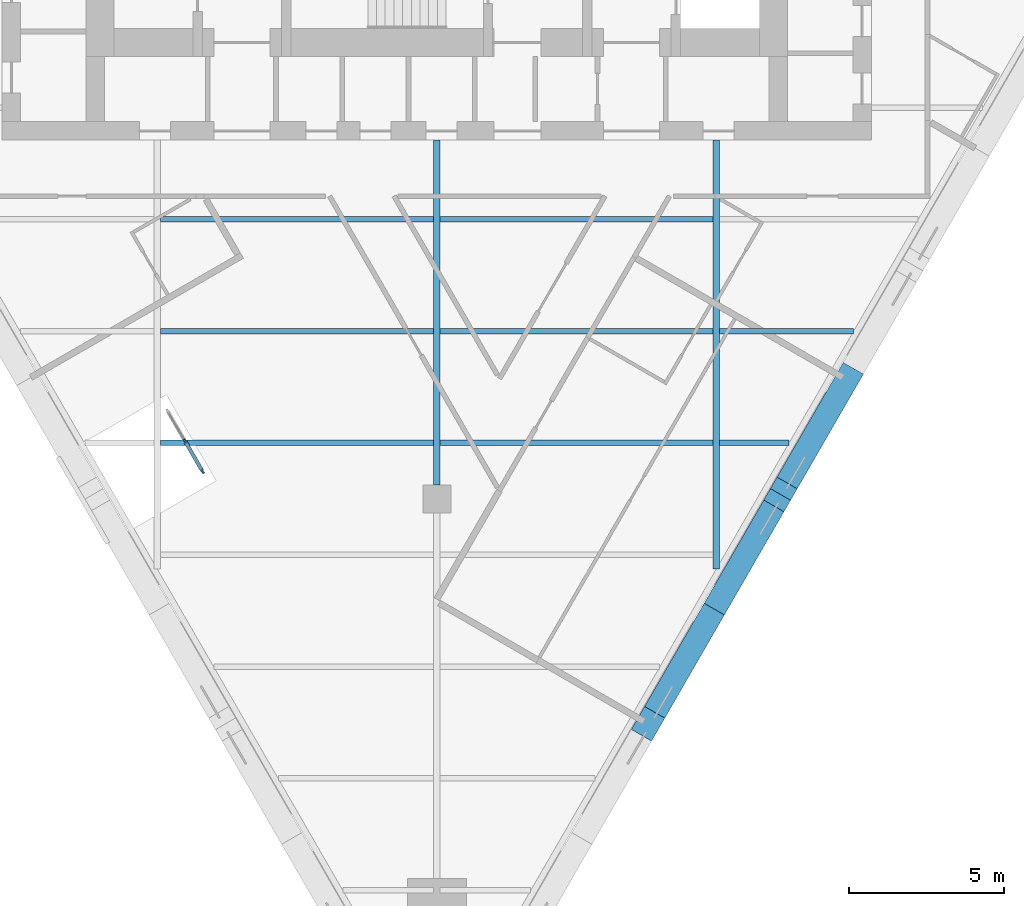
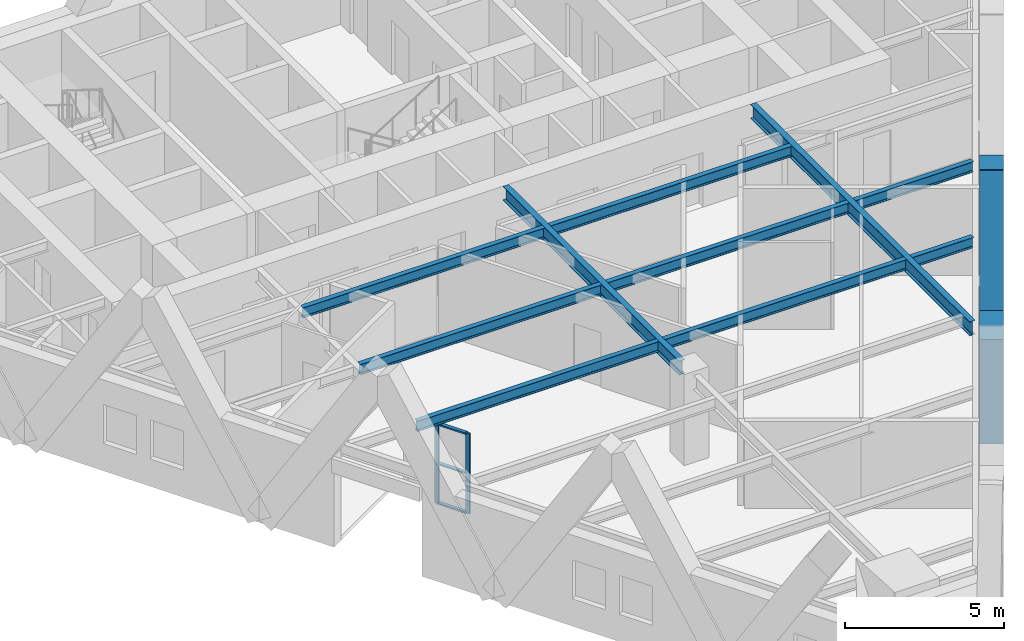
# One storey, part 4 of 12: 10 beams, 8 members, 1 element without a shape of its own.
"""IFC4 building model written with IfcOpenShell, lengths in metres."""

import ifcopenshell
import ifcopenshell.guid

model = None  # the IFC model being written
_history = None  # IfcOwnerHistory: only IFC2X3 demands one
_inside = {}  # id of a spatial element -> (the spatial element, [elements in it])
_under = {}  # id of a project, library or spatial element -> (it, [spatial elements below it])
_declared = {}  # id of a project -> (the project, [libraries it declares])
_typed = {}  # id of a type object -> (the type object, [elements of that type])
_made_of = {}  # id of a material, layer set ... -> (it, [elements and type objects made of it])


def new_model(schema):
    """Start an empty IFC model of exactly this schema.

    Asked for "IFC4X3", IfcOpenShell would pick the latest addendum, in which some entities
    have other attributes; the version numbers below select the first issue.
    IFC2X3 requires an IfcOwnerHistory on every rooted entity: one is made here for all.
    """
    global model, _history
    if schema == "IFC4X3":
        model = ifcopenshell.file(schema_version=(4, 3, 0, 0))
    else:
        model = ifcopenshell.file(schema=schema)
    _inside.clear()
    _under.clear()
    _declared.clear()
    _typed.clear()
    _made_of.clear()
    _history = None
    if model.schema == "IFC2X3":
        org = make("IfcOrganization", Name="unknown")
        user = make(
            "IfcPersonAndOrganization",
            ThePerson=make("IfcPerson", FamilyName="unknown"),
            TheOrganization=org,
        )
        app = make(
            "IfcApplication",
            ApplicationDeveloper=org,
            Version="unknown",
            ApplicationFullName="unknown",
            ApplicationIdentifier="unknown",
        )
        _history = make(
            "IfcOwnerHistory",
            OwningUser=user,
            OwningApplication=app,
            ChangeAction="ADDED",
            CreationDate=0,
        )
    return model


def make(cls, **values):
    """One entity of the class cls with the attributes given. An attribute that is None is left unset."""
    return model.create_entity(
        cls, **{name: value for name, value in values.items() if value is not None}
    )


def rooted(cls, **values):
    """An entity with a GlobalId (a new one), such as an element, a storey or a relation."""
    return make(cls, GlobalId=ifcopenshell.guid.new(), OwnerHistory=_history, **values)


def si_unit(unit_type, name, prefix=None):
    """IfcSIUnit, for example si_unit("LENGTHUNIT", "METRE", prefix="MILLI")."""
    return make("IfcSIUnit", UnitType=unit_type, Prefix=prefix, Name=name)


def assignment(units):
    """IfcUnitAssignment: the units of a project."""
    return None if units is None else make("IfcUnitAssignment", Units=units)


def point(xyz):
    """IfcCartesianPoint."""
    return None if xyz is None else make("IfcCartesianPoint", Coordinates=xyz)


def direction(xyz):
    """IfcDirection."""
    return None if xyz is None else make("IfcDirection", DirectionRatios=xyz)


def frame(location, z_axis=None, x_axis=None):
    """IfcAxis2Placement3D, a coordinate frame: its origin and axes. An axis left out is left unset."""
    return make(
        "IfcAxis2Placement3D",
        Location=point(location),
        Axis=direction(z_axis),
        RefDirection=direction(x_axis),
    )


def frame_2d(location, x_axis=None):
    """IfcAxis2Placement2D, a coordinate frame in the plane: its origin and x axis."""
    return make(
        "IfcAxis2Placement2D", Location=point(location), RefDirection=direction(x_axis)
    )


def origin():
    """The frame at (0, 0, 0) with its axes left unset."""
    return frame((0.0, 0.0, 0.0))


def origin_2d():
    """The frame at (0, 0) in the plane with its x axis left unset."""
    return frame_2d((0.0, 0.0))


def place(relative_to, where):
    """IfcLocalPlacement: puts the frame where relative to a parent placement (None: the world)."""
    return make(
        "IfcLocalPlacement", PlacementRelTo=relative_to, RelativePlacement=where
    )


def context(
    kind, dimensions, precision=None, world=None, true_north=None, identifier=None
):
    """IfcGeometricRepresentationContext, for example the 3D "Model" context."""
    return make(
        "IfcGeometricRepresentationContext",
        ContextIdentifier=identifier,
        ContextType=kind,
        CoordinateSpaceDimension=dimensions,
        Precision=precision,
        WorldCoordinateSystem=world,
        TrueNorth=true_north,
    )


def subcontext(parent, identifier, kind, view, scale=None):
    """IfcGeometricRepresentationSubContext, for example "Body" below "Model"."""
    return make(
        "IfcGeometricRepresentationSubContext",
        ContextIdentifier=identifier,
        ContextType=kind,
        ParentContext=parent,
        TargetScale=scale,
        TargetView=view,
    )


def project(units=None, contexts=None):
    """IfcProject with its units and contexts."""
    return rooted(
        "IfcProject",
        Name="project",
        RepresentationContexts=contexts,
        UnitsInContext=assignment(units),
    )


def spatial(cls, under=None, at=None, **own):
    """A site, building, storey or space (cls), placed at a placement, below another one or the project."""
    s = rooted(cls, ObjectPlacement=at, **own)
    if under is not None:
        _under.setdefault(under.id(), (under, []))[1].append(s)
    return s


def profile(cls, at=None, kind="AREA", **sizes):
    """A parametric profile (cls). Its sizes go by their IFC names, for example OverallWidth=200.0."""
    return make(cls, ProfileType=kind, Position=at, **sizes)


def rectangle(**sizes):
    """IfcRectangleProfileDef."""
    return profile("IfcRectangleProfileDef", **sizes)


def i_section(**sizes):
    """IfcIShapeProfileDef."""
    return profile("IfcIShapeProfileDef", **sizes)


def extrude(swept, where, along, depth):
    """IfcExtrudedAreaSolid: the profile swept, set in the frame where, extruded along a direction by depth."""
    return make(
        "IfcExtrudedAreaSolid",
        SweptArea=swept,
        Position=where,
        ExtrudedDirection=direction(along),
        Depth=depth,
    )


def shape(context_of_items, identifier, shape_type, items):
    """IfcShapeRepresentation: the items that make up one representation, for example the "Body"."""
    return make(
        "IfcShapeRepresentation",
        ContextOfItems=context_of_items,
        RepresentationIdentifier=identifier,
        RepresentationType=shape_type,
        Items=items,
    )


def material(Name=None, Category=None):
    """IfcMaterial."""
    return make("IfcMaterial", Name=Name, Category=Category)


def material_profile(
    of_material, cross_section, Name=None, Category=None, Priority=None
):
    """IfcMaterialProfile: a cross section and its material."""
    return make(
        "IfcMaterialProfile",
        Name=Name,
        Material=of_material,
        Profile=cross_section,
        Priority=Priority,
        Category=Category,
    )


def profile_set(profiles, Name=None, composite=None):
    """IfcMaterialProfileSet."""
    return make(
        "IfcMaterialProfileSet",
        Name=Name,
        MaterialProfiles=profiles,
        CompositeProfile=composite,
    )


def made_of(thing, what):
    """Note that an element or type object is made of a material, layer set ...; save() writes the relation."""
    if what is not None:
        _made_of.setdefault(what.id(), (what, []))[1].append(thing)
    return thing


def type_object(cls, material=None, **own):
    """A type object (cls), such as IfcWallType, which elements share."""
    return made_of(rooted(cls, **own), material)


def element(
    cls,
    number,
    at=None,
    inside=None,
    cuts=None,
    type_object=None,
    material=None,
    context=None,
    identifier="Body",
    shape_type=None,
    held_by="IfcProductDefinitionShape",
    body=None,
    shapes=None,
    **own,
):
    """One element of the class cls, such as IfcWall. Its Tag is "e" and its number.

    at: its placement. inside: the storey or other place that contains it. cuts: it is an
    opening in that element (IfcRelVoidsElement). A single representation is given by context,
    identifier, shape_type and body (its items); several are given by shapes. held_by: the class
    of the entity that holds the representations. save() writes the other relations.
    """
    e = rooted(cls, Tag="e%d" % number, ObjectPlacement=at, **own)
    if body is not None:
        shapes = [shape(context, identifier, shape_type, body)]
    if shapes is not None:
        e.Representation = make(held_by, Representations=shapes)
    if inside is not None:
        _inside.setdefault(inside.id(), (inside, []))[1].append(e)
    if cuts is not None:
        rooted(
            "IfcRelVoidsElement", RelatingBuildingElement=cuts, RelatedOpeningElement=e
        )
    if type_object is not None:
        _typed.setdefault(type_object.id(), (type_object, []))[1].append(e)
    return made_of(e, material)


def aggregate(whole, parts):
    """IfcRelAggregates: a whole, such as a stair, and the parts it consists of."""
    return rooted("IfcRelAggregates", RelatingObject=whole, RelatedObjects=parts)


def save(model, path):
    """Write the relations noted so far, then the file.

    IfcRelAggregates (storeys below a building ...), IfcRelContainedInSpatialStructure (elements
    in a storey), IfcRelDefinesByType, IfcRelAssociatesMaterial and IfcRelDeclares: one each for
    every whole, place, type object, material and project.
    """
    for whole, parts in _under.values():
        aggregate(whole, parts)
    for where, things in _inside.values():
        rooted(
            "IfcRelContainedInSpatialStructure",
            RelatedElements=things,
            RelatingStructure=where,
        )
    for kind, things in _typed.values():
        rooted("IfcRelDefinesByType", RelatedObjects=things, RelatingType=kind)
    for what, things in _made_of.values():
        rooted("IfcRelAssociatesMaterial", RelatedObjects=things, RelatingMaterial=what)
    for by, libraries in _declared.values():
        rooted("IfcRelDeclares", RelatingContext=by, RelatedDefinitions=libraries)
    model.write(path)


model = new_model("IFC4")

# Units and contexts
model_context = context("Model", 3, precision=1e-05, world=origin(), true_north=direction((0.0, 1.0)))
body_context = subcontext(model_context, "Body", "Model", "MODEL_VIEW")
ifc_project = project(units=[si_unit("LENGTHUNIT", "METRE"), si_unit("AREAUNIT", "SQUARE_METRE"), si_unit("VOLUMEUNIT", "CUBIC_METRE"), si_unit("PLANEANGLEUNIT", "RADIAN"), si_unit("MASSUNIT", "GRAM", prefix="KILO")], contexts=[model_context])

# Site, building, storey
site_placement = place(None, origin())
site = spatial("IfcSite", under=ifc_project, at=site_placement, CompositionType="ELEMENT")
building_placement = place(site_placement, origin())
building = spatial("IfcBuilding", under=site, at=building_placement, Name="Aloe Facet Convention Tower", CompositionType="ELEMENT")
storey_placement = place(building_placement, frame((0.0, 0.0, 102.800048828125)))
storey = spatial("IfcBuildingStorey", under=building, at=storey_placement, Name="L25", CompositionType="ELEMENT", Elevation=102.800048828125)

# Curtain wall, members
ifc_material_1 = material(Name="Aluminium, anodised", Category="aluminium")
curtain_wall_type = type_object("IfcCurtainWallType", Name="EV-CW-TERRACE", PredefinedType="USERDEFINED", material=ifc_material_1)
curtain_wall_placement = place(storey_placement, origin())
curtain_wall = element("IfcCurtainWall", 1, at=curtain_wall_placement, inside=storey, type_object=curtain_wall_type, Name="CW-T05", ObjectType="TERRACE BACK GLAZING", PredefinedType="USERDEFINED")
ifc_material_2 = material(Name="Aluminium, anodised", Category="aluminium")
ifc_material_profile_1 = material_profile(ifc_material_2, rectangle(XDim=0.06005859375, YDim=0.14990234375, at=origin_2d()), Name="AL 60x150")
ifc_profile_set_1 = profile_set([ifc_material_profile_1], Name="Aluminium, anodised")
member_type_1 = type_object("IfcMemberType", Name="EV-MULL-TERRACE", PredefinedType="MULLION", material=ifc_profile_set_1)
member_1_placement = place(storey_placement, frame((71.897216796875, 109.854736328125, -0.150146484375), z_axis=(0.0, 0.0, 1.0), x_axis=(0.866025403819, 0.49999999994, 0.0)))
member_1 = element("IfcMember", 2, at=member_1_placement, type_object=member_type_1, Name="CW-T05 mullion 2", PredefinedType="MULLION", context=body_context, shape_type="SweptSolid", body=[
    extrude(rectangle(XDim=0.06005859375, YDim=0.14990234375, at=origin_2d()), origin(), (0.0, 0.0, 1.0), 3.097412109375),
])
member_2_placement = place(storey_placement, frame((72.457275390625, 108.884765625, -0.150146484375), z_axis=(0.0, 0.0, 1.0), x_axis=(0.866025403819, 0.49999999994, 0.0)))
member_2 = element("IfcMember", 3, at=member_2_placement, type_object=member_type_1, Name="CW-T05 mullion 3", PredefinedType="MULLION", context=body_context, shape_type="SweptSolid", body=[
    extrude(rectangle(XDim=0.06005859375, YDim=0.14990234375, at=origin_2d()), origin(), (0.0, 0.0, 1.0), 3.097412109375),
])
ifc_material_3 = material(Name="Aluminium, anodised", Category="aluminium")
ifc_material_profile_2 = material_profile(ifc_material_3, rectangle(XDim=0.1201171875, YDim=0.06005859375, at=origin_2d()), Name="AL 120x60")
ifc_profile_set_2 = profile_set([ifc_material_profile_2], Name="Aluminium, anodised")
member_type_2 = type_object("IfcMemberType", Name="EV-TRAN-TERRACE", PredefinedType="USERDEFINED", material=ifc_profile_set_2)
member_3_placement = place(storey_placement, frame((71.912353515625, 109.828857421875, -0.1201171875), z_axis=(0.50002815445, -0.866009148195, 0.0), x_axis=(0.866009148195, 0.50002815445, 0.0)))
member_3 = element("IfcMember", 4, at=member_3_placement, type_object=member_type_2, Name="CW-T05 transom 2.1", ObjectType="TRANSOM", PredefinedType="USERDEFINED", context=body_context, shape_type="SweptSolid", body=[
    extrude(rectangle(XDim=0.1201171875, YDim=0.06005859375, at=origin_2d()), origin(), (0.0, 0.0, 1.0), 1.06005859375),
])
member_4_placement = place(storey_placement, frame((71.912353515625, 109.828857421875, 1.398681640625), z_axis=(0.50002815445, -0.866009148195, 0.0), x_axis=(0.866009148195, 0.50002815445, 0.0)))
member_4 = element("IfcMember", 5, at=member_4_placement, type_object=member_type_2, Name="CW-T05 transom 2.2", ObjectType="TRANSOM", PredefinedType="USERDEFINED", context=body_context, shape_type="SweptSolid", body=[
    extrude(rectangle(XDim=0.1201171875, YDim=0.06005859375, at=origin_2d()), origin(), (0.0, 0.0, 1.0), 1.06005859375),
])
member_5_placement = place(storey_placement, frame((71.912353515625, 109.828857421875, 2.917236328125), z_axis=(0.50002815445, -0.866009148195, 0.0), x_axis=(0.866009148195, 0.50002815445, 0.0)))
member_5 = element("IfcMember", 6, at=member_5_placement, type_object=member_type_2, Name="CW-T05 transom 2.3", ObjectType="TRANSOM", PredefinedType="USERDEFINED", context=body_context, shape_type="SweptSolid", body=[
    extrude(rectangle(XDim=0.1201171875, YDim=0.06005859375, at=origin_2d()), origin(), (0.0, 0.0, 1.0), 1.06005859375),
])
aggregate(curtain_wall, [member_1, member_2, member_3, member_4, member_5])

# Beams
ifc_material_4 = material(Name="Steel S355", Category="steel")
ifc_material_profile_3 = material_profile(ifc_material_4, i_section(OverallWidth=0.177734375, OverallDepth=0.402587890625, WebThickness=0.0078125, FlangeThickness=0.010986328125, FilletRadius=0.01025390625, at=origin_2d()), Name="UB 406x178x54")
ifc_profile_set_3 = profile_set([ifc_material_profile_3], Name="Steel S355")
beam_type_1 = type_object("IfcBeamType", Name="SF-B-UB406x178x54", PredefinedType="BEAM", material=ifc_profile_set_3)
for number, where, z_axis, x_axis, name in (
    (7, (71.10546875, 109.800048828125, 3.148681640625), (1.0, 0.0, 0.0), (0.0, 1.0, 0.0), "Floor beam FB-Z2B-021"),
    (8, (71.10546875, 113.39990234375, 3.148681640625), (1.0, 0.0, 0.0), (0.0, 1.0, 0.0), "Floor beam FB-Z2B-022"),
    (9, (71.10546875, 117.0, 3.148681640625), (1.0, 0.0, 0.0), (0.0, 1.0, 0.0), "Floor beam FB-Z2B-023"),
    (10, (80.10546875, 109.800048828125, 3.148681640625), (1.0, 0.0, 0.0), (0.0, 1.0, 0.0), "Floor beam FB-Z2B-031"),
    (11, (80.10546875, 113.39990234375, 3.148681640625), (1.0, 0.0, 0.0), (0.0, 1.0, 0.0), "Floor beam FB-Z2B-032"),
    (12, (80.10546875, 117.0, 3.148681640625), (1.0, 0.0, 0.0), (0.0, 1.0, 0.0), "Floor beam FB-Z2B-033"),
):
    element("IfcBeam", number, at=place(storey_placement, frame(where, z_axis=z_axis, x_axis=x_axis)), inside=storey, type_object=beam_type_1, Name=name, PredefinedType="BEAM", context=body_context, shape_type="SweptSolid", body=[
        extrude(i_section(OverallWidth=0.177734375, OverallDepth=0.402587890625, WebThickness=0.0078125, FlangeThickness=0.010986328125, FilletRadius=0.01025390625, at=origin_2d()), origin(), (0.0, 0.0, 1.0), 8.7890625),
    ])
beam_1_placement = place(storey_placement, frame((89.10546875, 109.800048828125, 3.148681640625), z_axis=(1.0, 0.0, 0.0), x_axis=(0.0, 1.0, 0.0)))
element("IfcBeam", 13, at=beam_1_placement, inside=storey, type_object=beam_type_1, Name="Floor beam FB-Z2B-034", PredefinedType="BEAM", context=body_context, shape_type="SweptSolid", body=[
    extrude(i_section(OverallWidth=0.177734375, OverallDepth=0.402587890625, WebThickness=0.0078125, FlangeThickness=0.010986328125, FilletRadius=0.01025390625, at=origin_2d()), origin(), (0.0, 0.0, 1.0), 2.229248046875),
])
beam_2_placement = place(storey_placement, frame((89.10546875, 113.39990234375, 3.148681640625), z_axis=(1.0, 0.0, 0.0), x_axis=(0.0, 1.0, 0.0)))
element("IfcBeam", 14, at=beam_2_placement, inside=storey, type_object=beam_type_1, Name="Floor beam FB-Z2B-035", PredefinedType="BEAM", context=body_context, shape_type="SweptSolid", body=[
    extrude(i_section(OverallWidth=0.177734375, OverallDepth=0.402587890625, WebThickness=0.0078125, FlangeThickness=0.010986328125, FilletRadius=0.01025390625, at=origin_2d()), origin(), (0.0, 0.0, 1.0), 4.3076171875),
])
ifc_material_5 = material(Name="Steel S355", Category="steel")
ifc_material_profile_4 = material_profile(ifc_material_5, i_section(OverallWidth=0.210693359375, OverallDepth=0.53955078125, WebThickness=0.01171875, FlangeThickness=0.018798828125, FilletRadius=0.0126953125, at=origin_2d()), Name="UB 533x210x109")
ifc_profile_set_4 = profile_set([ifc_material_profile_4], Name="Steel S355")
beam_type_2 = type_object("IfcBeamType", Name="SF-B-UB533x210x109", PredefinedType="BEAM", material=ifc_profile_set_4)
beam_3_placement = place(storey_placement, frame((80.0, 119.550048828125, 3.080078125), z_axis=(0.0, -1.0, 0.0), x_axis=(1.0, 0.0, 0.0)))
element("IfcBeam", 15, at=beam_3_placement, inside=storey, type_object=beam_type_2, Name="Floor beam FB-Z2B-011", PredefinedType="BEAM", context=body_context, shape_type="SweptSolid", body=[
    extrude(i_section(OverallWidth=0.210693359375, OverallDepth=0.53955078125, WebThickness=0.01171875, FlangeThickness=0.018798828125, FilletRadius=0.0126953125, at=origin_2d()), origin(), (0.0, 0.0, 1.0), 11.10009765625),
])
beam_4_placement = place(storey_placement, frame((89.0, 119.550048828125, 3.080078125), z_axis=(0.0, -1.0, 0.0), x_axis=(1.0, 0.0, 0.0)))
element("IfcBeam", 16, at=beam_4_placement, inside=storey, type_object=beam_type_2, Name="Floor beam FB-Z2B-012", PredefinedType="BEAM", context=body_context, shape_type="SweptSolid", body=[
    extrude(i_section(OverallWidth=0.210693359375, OverallDepth=0.53955078125, WebThickness=0.01171875, FlangeThickness=0.018798828125, FilletRadius=0.0126953125, at=origin_2d()), origin(), (0.0, 0.0, 1.0), 13.80126953125),
])

# Members
ifc_material_6 = material(Name="Concrete C60/75, bronze oxide finish", Category="concrete")
ifc_material_profile_5 = material_profile(ifc_material_6, rectangle(XDim=0.75, YDim=1.0, at=origin_2d()), Name="STW-LM")
ifc_profile_set_5 = profile_set([ifc_material_profile_5], Name="Concrete C60/75, bronze oxide finish")
member_type_3 = type_object("IfcMemberType", Name="STW-LM", PredefinedType="BRACE", material=ifc_profile_set_5)
for number, where, z_axis, x_axis, name in (
    (17, (88.936767578125, 104.44921875, 0.0), (-0.260147691546, -0.450537437867, 0.854013580491), (0.866000615939, -0.500042931351, 0.0), "Lattice member LM-Z2-F3-R3-03"),
    (18, (88.936767578125, 104.44921875, 0.0), (0.260116430601, 0.450564668007, 0.854008736768), (-0.866039720501, 0.4999752019, 0.0), "Lattice member LM-Z2-F3-R3-04"),
    (19, (93.200927734375, 111.835205078125, 0.0), (-0.26011992139, -0.45054092877, 0.854020197653), (0.866025408043, -0.499999992624, 0.0), "Lattice member LM-Z2-F3-R3-05"),
):
    element("IfcMember", number, at=place(storey_placement, frame(where, z_axis=z_axis, x_axis=x_axis)), inside=storey, type_object=member_type_3, Name=name, PredefinedType="BRACE", context=body_context, shape_type="SweptSolid", body=[
        extrude(rectangle(XDim=0.75, YDim=1.0, at=origin_2d()), origin(), (0.0, 0.0, 1.0), 8.196533203125),
    ])

save(model, "model.ifc")
